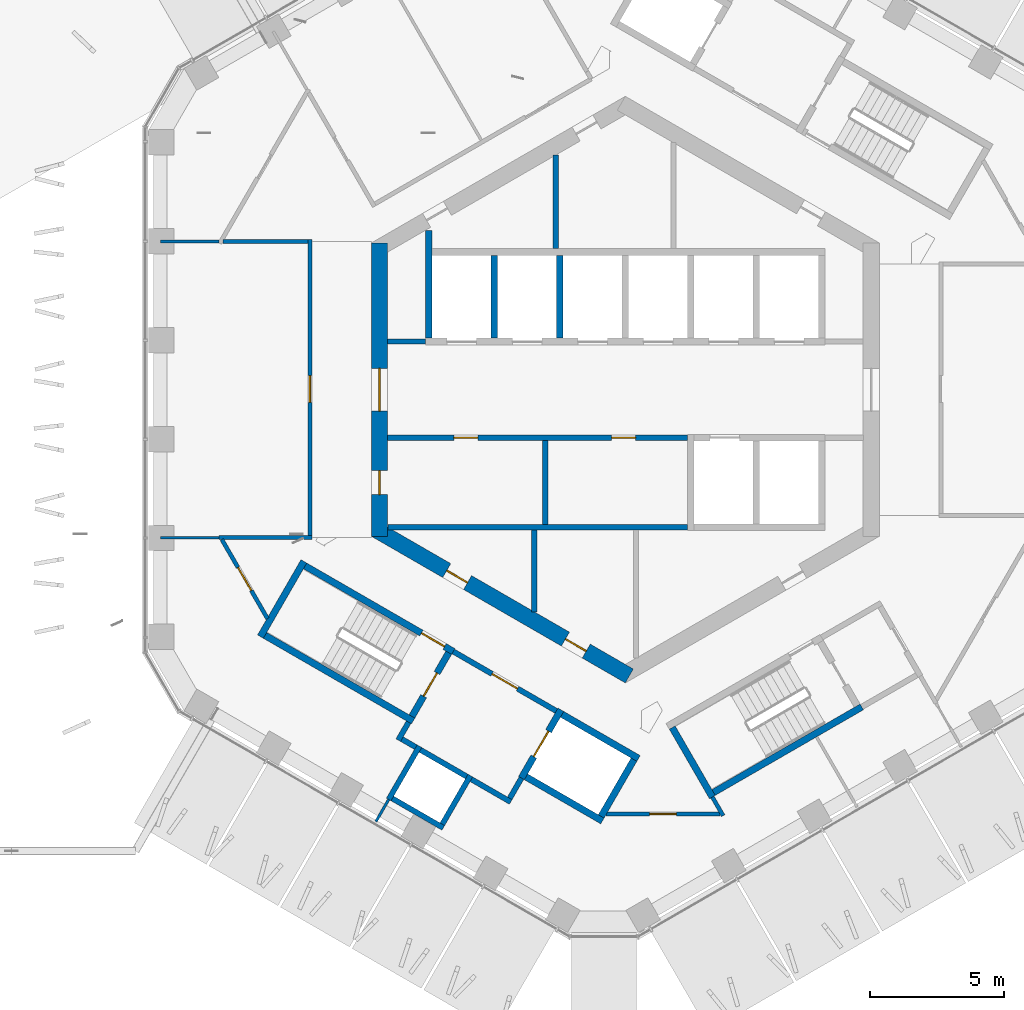
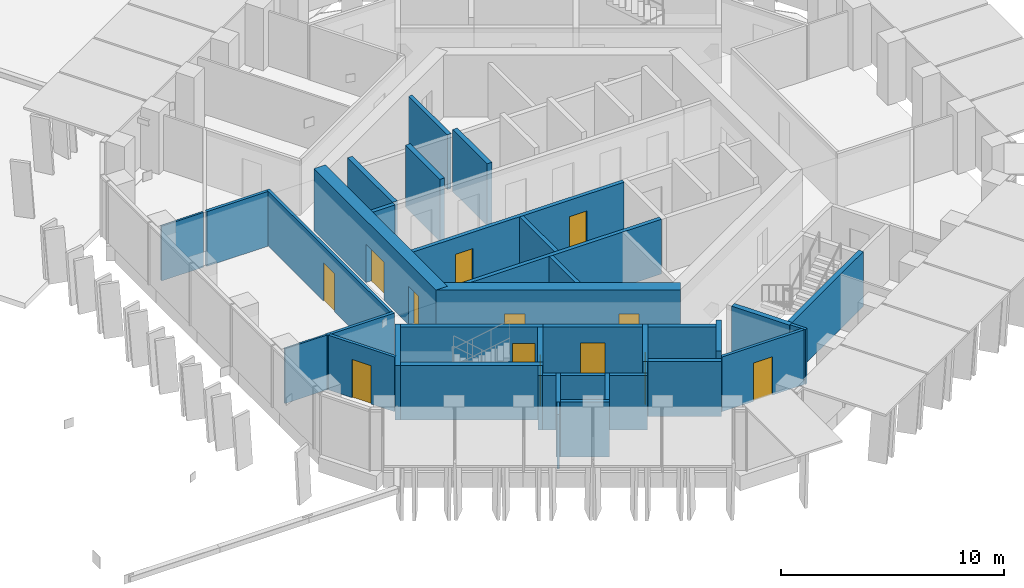
# One storey, part 13 of 23: 39 walls, 13 doors, 13 openings.
"""IFC4 building model written with IfcOpenShell, lengths in metres."""

from ifc_helpers import new_model, si_unit, direction, frame, frame_2d, origin, place, context, subcontext, project, spatial, rectangle, extrude, material, layer, layer_set, type_object, element, fill, save


model = new_model("IFC4")

# Units and contexts
model_context = context("Model", 3, precision=1e-05, world=origin(), true_north=direction((0.0, 1.0)))
body_context = subcontext(model_context, "Body", "Model", "MODEL_VIEW")
ifc_project = project(units=[si_unit("LENGTHUNIT", "METRE"), si_unit("AREAUNIT", "SQUARE_METRE"), si_unit("VOLUMEUNIT", "CUBIC_METRE"), si_unit("PLANEANGLEUNIT", "RADIAN"), si_unit("MASSUNIT", "GRAM", prefix="KILO")], contexts=[model_context])

# Site, building, storey
site_placement = place(None, origin())
site = spatial("IfcSite", under=ifc_project, at=site_placement, CompositionType="ELEMENT")
building_placement = place(site_placement, origin())
building = spatial("IfcBuilding", under=site, at=building_placement, Name="Ayvan Gate Tower", CompositionType="ELEMENT")
storey_placement = place(building_placement, frame((0.0, 0.0, 198.699951171875)))
storey = spatial("IfcBuildingStorey", under=building, at=storey_placement, Name="L53", CompositionType="ELEMENT", Elevation=198.699951171875)

# Wall, openings, doors
ifc_material_1 = material(Name="Concrete C60/75", Category="concrete")
ifc_layer_1 = layer(ifc_material_1, 0.60009765625)
ifc_layer_set_1 = layer_set([ifc_layer_1], Name="Concrete C60/75")
wall_type_1 = type_object("IfcWallType", Name="Core wall 600 C60/75", PredefinedType="SHEAR", material=ifc_layer_set_1)
wall_1_placement = place(storey_placement, frame((-9.199951171875, 5.48486328125, 0.0), z_axis=(0.0, 0.0, 1.0), x_axis=(0.0, -1.0, 0.0)))
wall_1 = element("IfcWall", 1, at=wall_1_placement, inside=storey, type_object=wall_type_1, Name="CORE-L53-3", PredefinedType="SHEAR", context=body_context, shape_type="SweptSolid", body=[
    extrude(rectangle(XDim=10.9697265625, YDim=0.60009765625, at=frame_2d((5.48486328125, 0.0))), origin(), (0.0, 0.0, 1.0), 3.400146484375),
])
opening_1_placement = place(wall_1_placement, frame((8.51611328125, 0.0, 0.0)))
opening_1 = element("IfcOpeningElement", 2, at=opening_1_placement, cuts=wall_1, Name="Opening L53-D38", PredefinedType="OPENING", context=body_context, shape_type="SweptSolid", body=[
    extrude(rectangle(XDim=0.89990234375, YDim=2.10009765625, at=frame_2d((0.449951171875, 1.050048828125))), frame((0.0, 0.31005859375, 0.0), z_axis=(0.0, -1.0, 0.0), x_axis=(1.0, 0.0, 0.0)), (0.0, 0.0, 1.0), 0.6201171875),
])
opening_2_placement = place(wall_1_placement, frame((4.684814453125, 0.0, 0.0)))
opening_2 = element("IfcOpeningElement", 3, at=opening_2_placement, cuts=wall_1, Name="Opening L53-D40", PredefinedType="OPENING", context=body_context, shape_type="SweptSolid", body=[
    extrude(rectangle(XDim=1.60009765625, YDim=2.10009765625, at=frame_2d((0.800048828125, 1.050048828125))), frame((0.0, 0.31005859375, 0.0), z_axis=(0.0, -1.0, 0.0), x_axis=(1.0, 0.0, 0.0)), (0.0, 0.0, 1.0), 0.6201171875),
])
ifc_material_2 = material(Name="Timber door leaf", Category="wood")
door_type_1 = type_object("IfcDoorType", Name="DT-1600", OperationType="NOTDEFINED", PredefinedType="DOOR", material=ifc_material_2)
door_1_placement = place(opening_2_placement, origin())
door_1 = element("IfcDoor", 4, at=door_1_placement, inside=storey, type_object=door_type_1, Name="CD-L53-40", OperationType="SINGLE_SWING_LEFT", OverallHeight=2.10009765625, OverallWidth=1.60009765625, PredefinedType="DOOR", context=body_context, shape_type="SweptSolid", body=[
    extrude(rectangle(XDim=1.60009765625, YDim=2.10009765625, at=frame_2d((0.800048828125, 1.050048828125))), frame((0.0, 0.02490234375, 0.0), z_axis=(0.0, -1.0, 0.0), x_axis=(1.0, 0.0, 0.0)), (0.0, 0.0, 1.0), 0.050048828125),
])
fill(opening_2, door_1)
door_type_2 = type_object("IfcDoorType", Name="DT-900", OperationType="NOTDEFINED", PredefinedType="DOOR", material=ifc_material_2)
door_2_placement = place(opening_1_placement, origin())
door_2 = element("IfcDoor", 5, at=door_2_placement, inside=storey, type_object=door_type_2, Name="CD-L53-38", OperationType="SINGLE_SWING_LEFT", OverallHeight=2.10009765625, OverallWidth=0.89990234375, PredefinedType="DOOR", context=body_context, shape_type="SweptSolid", body=[
    extrude(rectangle(XDim=0.89990234375, YDim=2.10009765625, at=frame_2d((0.449951171875, 1.050048828125))), frame((0.0, 0.02490234375, 0.0), z_axis=(0.0, -1.0, 0.0), x_axis=(1.0, 0.0, 0.0)), (0.0, 0.0, 1.0), 0.050048828125),
])
fill(opening_1, door_2)

wall_2_placement = place(storey_placement, frame((-9.35009765625, -5.22509765625, 0.0), z_axis=(0.0, 0.0, 1.0), x_axis=(0.866023993627, -0.500002442456, 0.0)))
wall_2 = element("IfcWall", 6, at=wall_2_placement, inside=storey, type_object=wall_type_1, Name="CORE-L53-4", PredefinedType="SHEAR", context=body_context, shape_type="SweptSolid", body=[
    extrude(rectangle(XDim=10.9697265625, YDim=0.60009765625, at=frame_2d((5.48486328125, 0.0))), origin(), (0.0, 0.0, 1.0), 3.400146484375),
])
opening_3_placement = place(wall_2_placement, frame((3.083984375, 0.0, 0.0)))
opening_3 = element("IfcOpeningElement", 7, at=opening_3_placement, cuts=wall_2, Name="Opening L53-D35", PredefinedType="OPENING", context=body_context, shape_type="SweptSolid", body=[
    extrude(rectangle(XDim=0.89990234375, YDim=2.10009765625, at=frame_2d((0.449951171875, 1.050048828125))), frame((0.0, 0.31005859375, 0.0), z_axis=(0.0, -1.0, 0.0), x_axis=(1.0, 0.0, 0.0)), (0.0, 0.0, 1.0), 0.6201171875),
])
opening_4_placement = place(wall_2_placement, frame((8.209716796875, 0.0, 0.0)))
opening_4 = element("IfcOpeningElement", 8, at=opening_4_placement, cuts=wall_2, Name="Opening L53-D36", PredefinedType="OPENING", context=body_context, shape_type="SweptSolid", body=[
    extrude(rectangle(XDim=0.89990234375, YDim=2.10009765625, at=frame_2d((0.449951171875, 1.050048828125))), frame((0.0, 0.31005859375, 0.0), z_axis=(0.0, -1.0, 0.0), x_axis=(1.0, 0.0, 0.0)), (0.0, 0.0, 1.0), 0.6201171875),
])
door_3_placement = place(opening_3_placement, origin())
door_3 = element("IfcDoor", 9, at=door_3_placement, inside=storey, type_object=door_type_2, Name="CD-L53-35", OperationType="SINGLE_SWING_RIGHT", OverallHeight=2.10009765625, OverallWidth=0.89990234375, PredefinedType="DOOR", context=body_context, shape_type="SweptSolid", body=[
    extrude(rectangle(XDim=0.89990234375, YDim=2.10009765625, at=frame_2d((0.449951171875, 1.050048828125))), frame((0.0, 0.02490234375, 0.0), z_axis=(0.0, -1.0, 0.0), x_axis=(1.0, 0.0, 0.0)), (0.0, 0.0, 1.0), 0.050048828125),
])
fill(opening_3, door_3)
door_4_placement = place(opening_4_placement, origin())
door_4 = element("IfcDoor", 10, at=door_4_placement, inside=storey, type_object=door_type_2, Name="CD-L53-36", OperationType="SINGLE_SWING_LEFT", OverallHeight=2.10009765625, OverallWidth=0.89990234375, PredefinedType="DOOR", context=body_context, shape_type="SweptSolid", body=[
    extrude(rectangle(XDim=0.89990234375, YDim=2.10009765625, at=frame_2d((0.449951171875, 1.050048828125))), frame((0.0, 0.02490234375, 0.0), z_axis=(0.0, -1.0, 0.0), x_axis=(1.0, 0.0, 0.0)), (0.0, 0.0, 1.0), 0.050048828125),
])
fill(opening_4, door_4)

# Wall
ifc_material_3 = material(Name="Plasterboard on steel stud", Category="steel")
ifc_layer_2 = layer(ifc_material_3, 0.14990234375)
ifc_layer_set_2 = layer_set([ifc_layer_2], Name="Plasterboard on steel stud")
wall_type_2 = type_object("IfcWallType", Name="WT-CORR-150", PredefinedType="PARTITIONING", material=ifc_layer_set_2)
wall_3_placement = place(storey_placement, frame((-15.204833984375, -5.538818359375, 0.0), z_axis=(0.0, 0.0, 1.0), x_axis=(1.0, 0.0, 0.0)))
element("IfcWall", 11, at=wall_3_placement, inside=storey, type_object=wall_type_2, Name="IW-L53-000", PredefinedType="PARTITIONING", context=body_context, shape_type="SweptSolid", body=[
    extrude(rectangle(XDim=3.47998046875, YDim=0.14990234375, at=frame_2d((1.739990234375, 0.0))), origin(), (0.0, 0.0, 1.0), 3.0),
])

# Wall, opening, door
wall_4_placement = place(storey_placement, frame((-13.38330078125, -8.564208984375, 0.0), z_axis=(0.0, 0.0, 1.0), x_axis=(-0.499980071345, 0.866036909293, 0.0)))
wall_4 = element("IfcWall", 12, at=wall_4_placement, inside=storey, type_object=wall_type_2, Name="IW-L53-005", PredefinedType="PARTITIONING", context=body_context, shape_type="SweptSolid", body=[
    extrude(rectangle(XDim=3.418212890625, YDim=0.14990234375, at=frame_2d((1.708984375, 0.0))), origin(), (0.0, 0.0, 1.0), 3.0),
])
opening_5_placement = place(wall_4_placement, frame((1.208984375, 0.0, 0.0)))
opening_5 = element("IfcOpeningElement", 13, at=opening_5_placement, cuts=wall_4, Name="Opening L53-D26", PredefinedType="OPENING", context=body_context, shape_type="SweptSolid", body=[
    extrude(rectangle(XDim=1.0, YDim=2.10009765625, at=frame_2d((0.5, 1.050048828125))), frame((0.0, 0.0849609375, 0.0), z_axis=(0.0, -1.0, 0.0), x_axis=(1.0, 0.0, 0.0)), (0.0, 0.0, 1.0), 0.169921875),
])
door_type_3 = type_object("IfcDoorType", Name="DT-1000", OperationType="NOTDEFINED", PredefinedType="DOOR", material=ifc_material_2)
door_5_placement = place(opening_5_placement, origin())
door_5 = element("IfcDoor", 14, at=door_5_placement, inside=storey, type_object=door_type_3, Name="ID-L53-026", OperationType="SINGLE_SWING_LEFT", OverallHeight=2.10009765625, OverallWidth=1.0, PredefinedType="DOOR", context=body_context, shape_type="SweptSolid", body=[
    extrude(rectangle(XDim=1.0, YDim=2.10009765625, at=frame_2d((0.5, 1.050048828125))), frame((0.0, 0.02490234375, 0.0), z_axis=(0.0, -1.0, 0.0), x_axis=(1.0, 0.0, 0.0)), (0.0, 0.0, 1.0), 0.050048828125),
])
fill(opening_5, door_5)

wall_5_placement = place(storey_placement, frame((-11.800048828125, -5.4638671875, 0.0), z_axis=(0.0, 0.0, 1.0), x_axis=(0.0, 1.0, 0.0)))
wall_5 = element("IfcWall", 15, at=wall_5_placement, inside=storey, type_object=wall_type_2, Name="IW-L53-009", PredefinedType="PARTITIONING", context=body_context, shape_type="SweptSolid", body=[
    extrude(rectangle(XDim=11.077880859375, YDim=0.14990234375, at=frame_2d((5.5390625, 0.0))), origin(), (0.0, 0.0, 1.0), 3.0),
])
opening_6_placement = place(wall_5_placement, frame((4.986328125, 0.0, 0.0)))
opening_6 = element("IfcOpeningElement", 16, at=opening_6_placement, cuts=wall_5, Name="Opening L53-D25", PredefinedType="OPENING", context=body_context, shape_type="SweptSolid", body=[
    extrude(rectangle(XDim=1.0, YDim=2.10009765625, at=frame_2d((0.5, 1.050048828125))), frame((0.0, 0.0849609375, 0.0), z_axis=(0.0, -1.0, 0.0), x_axis=(1.0, 0.0, 0.0)), (0.0, 0.0, 1.0), 0.169921875),
])
door_6_placement = place(opening_6_placement, origin())
door_6 = element("IfcDoor", 17, at=door_6_placement, inside=storey, type_object=door_type_3, Name="ID-L53-025", OperationType="SINGLE_SWING_RIGHT", OverallHeight=2.10009765625, OverallWidth=1.0, PredefinedType="DOOR", context=body_context, shape_type="SweptSolid", body=[
    extrude(rectangle(XDim=1.0, YDim=2.10009765625, at=frame_2d((0.5, 1.050048828125))), frame((0.0, 0.02490234375, 0.0), z_axis=(0.0, -1.0, 0.0), x_axis=(1.0, 0.0, 0.0)), (0.0, 0.0, 1.0), 0.050048828125),
])
fill(opening_6, door_6)

# Walls
wall_6_placement = place(storey_placement, frame((-11.875, 5.538818359375, 0.0), z_axis=(0.0, 0.0, 1.0), x_axis=(-1.0, 0.0, 0.0)))
element("IfcWall", 18, at=wall_6_placement, inside=storey, type_object=wall_type_2, Name="IW-L53-010", PredefinedType="PARTITIONING", context=body_context, shape_type="SweptSolid", body=[
    extrude(rectangle(XDim=3.179931640625, YDim=0.14990234375, at=frame_2d((1.58984375, 0.0))), origin(), (0.0, 0.0, 1.0), 3.0),
])
wall_7_placement = place(storey_placement, frame((3.255615234375, -15.23876953125, 0.0), z_axis=(0.0, 0.0, 1.0), x_axis=(0.499818546685, -0.866130140562, 0.0)))
element("IfcWall", 19, at=wall_7_placement, inside=storey, type_object=wall_type_2, Name="IW-L53-054", PredefinedType="PARTITIONING", context=body_context, shape_type="SweptSolid", body=[
    extrude(rectangle(XDim=0.806396484375, YDim=0.14990234375, at=frame_2d((0.4033203125, 0.0))), origin(), (0.0, 0.0, 1.0), 3.0),
])

# Wall, opening, door
wall_8_placement = place(storey_placement, frame((3.54638671875, -15.872314453125, 0.0), z_axis=(0.0, 0.0, 1.0), x_axis=(-1.0, 0.0, 0.0)))
wall_8 = element("IfcWall", 20, at=wall_8_placement, inside=storey, type_object=wall_type_2, Name="IW-L53-056", PredefinedType="PARTITIONING", context=body_context, shape_type="SweptSolid", body=[
    extrude(rectangle(XDim=4.271484375, YDim=0.14990234375, at=frame_2d((2.1357421875, 0.0))), origin(), (0.0, 0.0, 1.0), 3.0),
])
opening_7_placement = place(wall_8_placement, frame((1.6357421875, 0.0, 0.0)))
opening_7 = element("IfcOpeningElement", 21, at=opening_7_placement, cuts=wall_8, Name="Opening L53-D27", PredefinedType="OPENING", context=body_context, shape_type="SweptSolid", body=[
    extrude(rectangle(XDim=1.0, YDim=2.10009765625, at=frame_2d((0.5, 1.050048828125))), frame((0.0, 0.0849609375, 0.0), z_axis=(0.0, -1.0, 0.0), x_axis=(1.0, 0.0, 0.0)), (0.0, 0.0, 1.0), 0.169921875),
])
door_7_placement = place(opening_7_placement, origin())
door_7 = element("IfcDoor", 22, at=door_7_placement, inside=storey, type_object=door_type_3, Name="ID-L53-027", OperationType="SINGLE_SWING_RIGHT", OverallHeight=2.10009765625, OverallWidth=1.0, PredefinedType="DOOR", context=body_context, shape_type="SweptSolid", body=[
    extrude(rectangle(XDim=1.0, YDim=2.10009765625, at=frame_2d((0.5, 1.050048828125))), frame((0.0, 0.02490234375, 0.0), z_axis=(0.0, -1.0, 0.0), x_axis=(1.0, 0.0, 0.0)), (0.0, 0.0, 1.0), 0.050048828125),
])
fill(opening_7, door_7)

# Walls
ifc_layer_3 = layer(ifc_material_3, 0.10009765625)
ifc_layer_set_3 = layer_set([ifc_layer_3], Name="Plasterboard on steel stud")
wall_type_3 = type_object("IfcWallType", Name="WT-PART-100", PredefinedType="PARTITIONING", material=ifc_layer_set_3)
for number, where, z_axis, x_axis, name in (
    (23, (-15.204833984375, 5.538818359375, 0.0), (0.0, 0.0, 1.0), (-1.0, 0.0, 0.0), "IW-L53-001"),
    (24, (-15.204833984375, -5.538818359375, 0.0), (0.0, 0.0, 1.0), (-1.0, 0.0, 0.0), "IW-L53-003"),
):
    element("IfcWall", number, at=place(storey_placement, frame(where, z_axis=z_axis, x_axis=x_axis)), inside=storey, type_object=wall_type_3, Name=name, PredefinedType="PARTITIONING", context=body_context, shape_type="SweptSolid", body=[
        extrude(rectangle(XDim=2.1787109375, YDim=0.10009765625, at=frame_2d((1.08935546875, 0.0))), origin(), (0.0, 0.0, 1.0), 3.0),
    ])
wall_9_placement = place(storey_placement, frame((-8.85009765625, -15.32861328125, 0.0), z_axis=(0.0, 0.0, 1.0), x_axis=(-0.499950501706, -0.866053979752, 0.0)))
element("IfcWall", 25, at=wall_9_placement, inside=storey, type_object=wall_type_3, Name="IW-L53-015", PredefinedType="PARTITIONING", context=body_context, shape_type="SweptSolid", body=[
    extrude(rectangle(XDim=0.95751953125, YDim=0.10009765625, at=frame_2d((0.478759765625, 0.0))), origin(), (0.0, 0.0, 1.0), 3.0),
])
ifc_layer_4 = layer(ifc_material_3, 0.199951171875)
ifc_layer_set_4 = layer_set([ifc_layer_4], Name="Plasterboard on steel stud")
wall_type_4 = type_object("IfcWallType", Name="WT-PLUMB-200", PredefinedType="PLUMBINGWALL", material=ifc_layer_set_4)
wall_10_placement = place(storey_placement, frame((-8.85009765625, -15.32861328125, 0.0), z_axis=(0.0, 0.0, 1.0), x_axis=(0.500077740698, 0.865980515519, 0.0)))
element("IfcWall", 26, at=wall_10_placement, inside=storey, type_object=wall_type_4, Name="IW-L53-014", PredefinedType="PLUMBINGWALL", context=body_context, shape_type="SweptSolid", body=[
    extrude(rectangle(XDim=2.300048828125, YDim=0.199951171875, at=frame_2d((1.14990234375, 0.0))), origin(), (0.0, 0.0, 1.0), 3.0),
])
wall_11_placement = place(storey_placement, frame((-6.80810546875, -16.39208984375, 0.0), z_axis=(0.0, 0.0, 1.0), x_axis=(-0.866008176907, 0.50002983664, 0.0)))
element("IfcWall", 27, at=wall_11_placement, inside=storey, type_object=wall_type_4, Name="IW-L53-022", PredefinedType="PLUMBINGWALL", context=body_context, shape_type="SweptSolid", body=[
    extrude(rectangle(XDim=2.199951171875, YDim=0.199951171875, at=frame_2d((1.10009765625, 0.0))), origin(), (0.0, 0.0, 1.0), 3.0),
])
wall_12_placement = place(storey_placement, frame((-5.794677734375, -14.436767578125, 0.0), z_axis=(0.0, 0.0, 1.0), x_axis=(-0.500027713859, -0.866009402589, 0.0)))
element("IfcWall", 28, at=wall_12_placement, inside=storey, type_object=wall_type_4, Name="IW-L53-025", PredefinedType="PLUMBINGWALL", context=body_context, shape_type="SweptSolid", body=[
    extrude(rectangle(XDim=2.10009765625, YDim=0.199951171875, at=frame_2d((1.050048828125, 0.0))), origin(), (0.0, 0.0, 1.0), 3.0),
])
wall_13_placement = place(storey_placement, frame((-5.931396484375, -14.473388671875, 0.0), z_axis=(0.0, 0.0, 1.0), x_axis=(-0.866041268327, 0.499972520799, 0.0)))
element("IfcWall", 29, at=wall_13_placement, inside=storey, type_object=wall_type_4, Name="IW-L53-026", PredefinedType="PLUMBINGWALL", context=body_context, shape_type="SweptSolid", body=[
    extrude(rectangle(XDim=2.0, YDim=0.199951171875, at=frame_2d((1.0, 0.0))), origin(), (0.0, 0.0, 1.0), 3.0),
])
ifc_layer_5 = layer(ifc_material_3, 0.199951171875)
ifc_layer_set_5 = layer_set([ifc_layer_5], Name="Plasterboard on steel stud")
wall_type_5 = type_object("IfcWallType", Name="WT-RATED-200", PredefinedType="PARTITIONING", material=ifc_layer_set_5)
wall_14_placement = place(storey_placement, frame((-8.89990234375, 1.800048828125, 0.0), z_axis=(0.0, 0.0, 1.0), x_axis=(1.0, 0.0, 0.0)))
element("IfcWall", 30, at=wall_14_placement, inside=storey, type_object=wall_type_5, Name="IW-L53-012", PredefinedType="PARTITIONING", context=body_context, shape_type="SweptSolid", body=[
    extrude(rectangle(XDim=1.425048828125, YDim=0.199951171875, at=frame_2d((0.71240234375, 0.0))), origin(), (0.0, 0.0, 1.0), 3.0),
])
wall_15_placement = place(storey_placement, frame((-8.8798828125, -5.14990234375, 0.0), z_axis=(0.0, 0.0, 1.0), x_axis=(1.0, 0.0, 0.0)))
element("IfcWall", 31, at=wall_15_placement, inside=storey, type_object=wall_type_5, Name="IW-L53-013", PredefinedType="PARTITIONING", context=body_context, shape_type="SweptSolid", body=[
    extrude(rectangle(XDim=11.205078125, YDim=0.199951171875, at=frame_2d((5.6025390625, 0.0))), origin(), (0.0, 0.0, 1.0), 3.0),
])
wall_16_placement = place(storey_placement, frame((-8.492919921875, -13.110107421875, 0.0), z_axis=(0.0, 0.0, 1.0), x_axis=(0.500067724834, 0.865986299303, 0.0)))
element("IfcWall", 32, at=wall_16_placement, inside=storey, type_object=wall_type_5, Name="IW-L53-016", PredefinedType="PARTITIONING", context=body_context, shape_type="SweptSolid", body=[
    extrude(rectangle(XDim=0.775390625, YDim=0.199951171875, at=frame_2d((0.3876953125, 0.0))), origin(), (0.0, 0.0, 1.0), 3.0),
])
wall_17_placement = place(storey_placement, frame((-7.83642578125, -13.373291015625, 0.0), z_axis=(0.0, 0.0, 1.0), x_axis=(-0.866232998003, 0.499640263761, 0.0)))
element("IfcWall", 33, at=wall_17_placement, inside=storey, type_object=wall_type_5, Name="IW-L53-018", PredefinedType="PARTITIONING", context=body_context, shape_type="SweptSolid", body=[
    extrude(rectangle(XDim=0.60009765625, YDim=0.199951171875, at=frame_2d((0.300048828125, 0.0))), origin(), (0.0, 0.0, 1.0), 3.0),
])

# Wall, opening, door
wall_18_placement = place(storey_placement, frame((-6.4345703125, -9.794921875, 0.0), z_axis=(0.0, 0.0, 1.0), x_axis=(0.866012907634, -0.500021643343, 0.0)))
wall_18 = element("IfcWall", 34, at=wall_18_placement, inside=storey, type_object=wall_type_5, Name="IW-L53-024", PredefinedType="PARTITIONING", context=body_context, shape_type="SweptSolid", body=[
    extrude(rectangle(XDim=4.449951171875, YDim=0.199951171875, at=frame_2d((2.22509765625, 0.0))), origin(), (0.0, 0.0, 1.0), 3.0),
])
opening_8_placement = place(wall_18_placement, frame((1.675048828125, 0.0, 0.0)))
opening_8 = element("IfcOpeningElement", 35, at=opening_8_placement, cuts=wall_18, Name="Opening L53-D16", PredefinedType="OPENING", context=body_context, shape_type="SweptSolid", body=[
    extrude(rectangle(XDim=1.10009765625, YDim=2.10009765625, at=frame_2d((0.550048828125, 1.050048828125))), frame((0.0, 0.10986328125, 0.0), z_axis=(0.0, -1.0, 0.0), x_axis=(1.0, 0.0, 0.0)), (0.0, 0.0, 1.0), 0.219970703125),
])
door_type_4 = type_object("IfcDoorType", Name="DT-1100", OperationType="NOTDEFINED", PredefinedType="DOOR", material=ifc_material_2)
door_8_placement = place(opening_8_placement, origin())
door_8 = element("IfcDoor", 36, at=door_8_placement, inside=storey, type_object=door_type_4, Name="ID-L53-016", OperationType="SINGLE_SWING_LEFT", OverallHeight=2.10009765625, OverallWidth=1.10009765625, PredefinedType="DOOR", context=body_context, shape_type="SweptSolid", body=[
    extrude(rectangle(XDim=1.10009765625, YDim=2.10009765625, at=frame_2d((0.550048828125, 1.050048828125))), frame((0.0, 0.02490234375, 0.0), z_axis=(0.0, -1.0, 0.0), x_axis=(1.0, 0.0, 0.0)), (0.0, 0.0, 1.0), 0.050048828125),
])
fill(opening_8, door_8)

# Walls
wall_19_placement = place(storey_placement, frame((-4.285888671875, -15.42333984375, 0.0), z_axis=(0.0, 0.0, 1.0), x_axis=(-0.866025371046, 0.500000056704, 0.0)))
element("IfcWall", 37, at=wall_19_placement, inside=storey, type_object=wall_type_5, Name="IW-L53-029", PredefinedType="PARTITIONING", context=body_context, shape_type="SweptSolid", body=[
    extrude(rectangle(XDim=1.7001953125, YDim=0.199951171875, at=frame_2d((0.85009765625, 0.0))), origin(), (0.0, 0.0, 1.0), 3.0),
])
wall_20_placement = place(storey_placement, frame((-3.885009765625, -14.52880859375, 0.0), z_axis=(0.0, 0.0, 1.0), x_axis=(-0.499859285417, -0.866106630146, 0.0)))
element("IfcWall", 38, at=wall_20_placement, inside=storey, type_object=wall_type_5, Name="IW-L53-030", PredefinedType="PARTITIONING", context=body_context, shape_type="SweptSolid", body=[
    extrude(rectangle(XDim=0.875244140625, YDim=0.199951171875, at=frame_2d((0.4375, 0.0))), origin(), (0.0, 0.0, 1.0), 3.0),
])
wall_21_placement = place(storey_placement, frame((-3.39990234375, -5.25, 0.0), z_axis=(0.0, 0.0, 1.0), x_axis=(0.0, -1.0, 0.0)))
element("IfcWall", 39, at=wall_21_placement, inside=storey, type_object=wall_type_5, Name="IW-L53-033", PredefinedType="PARTITIONING", context=body_context, shape_type="SweptSolid", body=[
    extrude(rectangle(XDim=3.063720703125, YDim=0.199951171875, at=frame_2d((1.53173828125, 0.0))), origin(), (0.0, 0.0, 1.0), 3.0),
])
wall_22_placement = place(storey_placement, frame((-3.0, -1.89990234375, 0.0), z_axis=(0.0, 0.0, 1.0), x_axis=(0.0, -1.0, 0.0)))
element("IfcWall", 40, at=wall_22_placement, inside=storey, type_object=wall_type_5, Name="IW-L53-034", PredefinedType="PARTITIONING", context=body_context, shape_type="SweptSolid", body=[
    extrude(rectangle(XDim=3.150146484375, YDim=0.199951171875, at=frame_2d((1.5751953125, 0.0))), origin(), (0.0, 0.0, 1.0), 3.0),
])

# Wall, openings, doors
wall_23_placement = place(storey_placement, frame((-8.89990234375, -1.800048828125, 0.0), z_axis=(0.0, 0.0, 1.0), x_axis=(1.0, 0.0, 0.0)))
wall_23 = element("IfcWall", 41, at=wall_23_placement, inside=storey, type_object=wall_type_5, Name="IW-L53-035", PredefinedType="PARTITIONING", context=body_context, shape_type="SweptSolid", body=[
    extrude(rectangle(XDim=11.22509765625, YDim=0.199951171875, at=frame_2d((5.612548828125, 0.0))), origin(), (0.0, 0.0, 1.0), 3.0),
])
opening_9_placement = place(wall_23_placement, frame((2.485107421875, 0.0, 0.0)))
opening_9 = element("IfcOpeningElement", 42, at=opening_9_placement, cuts=wall_23, Name="Opening L53-D08", PredefinedType="OPENING", context=body_context, shape_type="SweptSolid", body=[
    extrude(rectangle(XDim=0.89990234375, YDim=2.10009765625, at=frame_2d((0.449951171875, 1.050048828125))), frame((0.0, 0.10986328125, 0.0), z_axis=(0.0, -1.0, 0.0), x_axis=(1.0, 0.0, 0.0)), (0.0, 0.0, 1.0), 0.219970703125),
])
opening_10_placement = place(wall_23_placement, frame((8.387451171875, 0.0, 0.0)))
opening_10 = element("IfcOpeningElement", 43, at=opening_10_placement, cuts=wall_23, Name="Opening L53-D09", PredefinedType="OPENING", context=body_context, shape_type="SweptSolid", body=[
    extrude(rectangle(XDim=0.89990234375, YDim=2.10009765625, at=frame_2d((0.449951171875, 1.050048828125))), frame((0.0, 0.10986328125, 0.0), z_axis=(0.0, -1.0, 0.0), x_axis=(1.0, 0.0, 0.0)), (0.0, 0.0, 1.0), 0.219970703125),
])
door_9_placement = place(opening_9_placement, origin())
door_9 = element("IfcDoor", 44, at=door_9_placement, inside=storey, type_object=door_type_2, Name="ID-L53-008", OperationType="SINGLE_SWING_LEFT", OverallHeight=2.10009765625, OverallWidth=0.89990234375, PredefinedType="DOOR", context=body_context, shape_type="SweptSolid", body=[
    extrude(rectangle(XDim=0.89990234375, YDim=2.10009765625, at=frame_2d((0.449951171875, 1.050048828125))), frame((0.0, 0.02490234375, 0.0), z_axis=(0.0, -1.0, 0.0), x_axis=(1.0, 0.0, 0.0)), (0.0, 0.0, 1.0), 0.050048828125),
])
fill(opening_9, door_9)
door_10_placement = place(opening_10_placement, origin())
door_10 = element("IfcDoor", 45, at=door_10_placement, inside=storey, type_object=door_type_2, Name="ID-L53-009", OperationType="SINGLE_SWING_RIGHT", OverallHeight=2.10009765625, OverallWidth=0.89990234375, PredefinedType="DOOR", context=body_context, shape_type="SweptSolid", body=[
    extrude(rectangle(XDim=0.89990234375, YDim=2.10009765625, at=frame_2d((0.449951171875, 1.050048828125))), frame((0.0, 0.02490234375, 0.0), z_axis=(0.0, -1.0, 0.0), x_axis=(1.0, 0.0, 0.0)), (0.0, 0.0, 1.0), 0.050048828125),
])
fill(opening_10, door_10)

# Walls
wall_24_placement = place(storey_placement, frame((-2.60009765625, 8.775634765625, 0.0), z_axis=(0.0, 0.0, 1.0), x_axis=(0.0, -1.0, 0.0)))
element("IfcWall", 46, at=wall_24_placement, inside=storey, type_object=wall_type_5, Name="IW-L53-036", PredefinedType="PARTITIONING", context=body_context, shape_type="SweptSolid", body=[
    extrude(rectangle(XDim=3.500732421875, YDim=0.199951171875, at=frame_2d((1.75048828125, 0.0))), origin(), (0.0, 0.0, 1.0), 3.0),
])
ifc_material_4 = material(Name="Concrete C50/60", Category="concrete")
ifc_layer_6 = layer(ifc_material_4, 0.25)
ifc_layer_set_6 = layer_set([ifc_layer_6], Name="Concrete C50/60")
wall_type_6 = type_object("IfcWallType", Name="WT-RC-250", PredefinedType="SHEAR", material=ifc_layer_set_6)
wall_25_placement = place(storey_placement, frame((-13.64794921875, -9.23876953125, 0.0), z_axis=(0.0, 0.0, 1.0), x_axis=(0.500017246033, 0.866015446554, 0.0)))
element("IfcWall", 47, at=wall_25_placement, inside=storey, type_object=wall_type_6, Name="IW-L53-004", PredefinedType="SHEAR", context=body_context, shape_type="SweptSolid", body=[
    extrude(rectangle(XDim=3.25, YDim=0.25, at=frame_2d((1.625, 0.0))), origin(), (0.0, 0.0, 1.0), 3.0),
])

# Wall, opening, door
wall_26_placement = place(storey_placement, frame((-11.97705078125, -6.594970703125, 0.0), z_axis=(0.0, 0.0, 1.0), x_axis=(0.866025499775, -0.499999833739, 0.0)))
wall_26 = element("IfcWall", 48, at=wall_26_placement, inside=storey, type_object=wall_type_6, Name="IW-L53-007", PredefinedType="SHEAR", context=body_context, shape_type="SweptSolid", body=[
    extrude(rectangle(XDim=6.39990234375, YDim=0.25, at=frame_2d((3.199951171875, 0.0))), origin(), (0.0, 0.0, 1.0), 3.0),
])
opening_11_placement = place(wall_26_placement, frame((5.02490234375, 0.0, 0.0)))
opening_11 = element("IfcOpeningElement", 49, at=opening_11_placement, cuts=wall_26, Name="Opening L53-D14", PredefinedType="OPENING", context=body_context, shape_type="SweptSolid", body=[
    extrude(rectangle(XDim=1.0, YDim=2.10009765625, at=frame_2d((0.5, 1.050048828125))), frame((0.0, 0.135009765625, 0.0), z_axis=(0.0, -1.0, 0.0), x_axis=(1.0, 0.0, 0.0)), (0.0, 0.0, 1.0), 0.27001953125),
])
door_11_placement = place(opening_11_placement, origin())
door_11 = element("IfcDoor", 50, at=door_11_placement, inside=storey, type_object=door_type_3, Name="ID-L53-014", OperationType="SINGLE_SWING_LEFT", OverallHeight=2.10009765625, OverallWidth=1.0, PredefinedType="DOOR", context=body_context, shape_type="SweptSolid", body=[
    extrude(rectangle(XDim=1.0, YDim=2.10009765625, at=frame_2d((0.5, 1.050048828125))), frame((0.0, 0.02490234375, 0.0), z_axis=(0.0, -1.0, 0.0), x_axis=(1.0, 0.0, 0.0)), (0.0, 0.0, 1.0), 0.050048828125),
])
fill(opening_11, door_11)

# Walls
wall_27_placement = place(storey_placement, frame((-7.9345703125, -12.39306640625, 0.0), z_axis=(0.0, 0.0, 1.0), x_axis=(-0.866025499775, 0.499999833739, 0.0)))
element("IfcWall", 51, at=wall_27_placement, inside=storey, type_object=wall_type_6, Name="IW-L53-017", PredefinedType="SHEAR", context=body_context, shape_type="SweptSolid", body=[
    extrude(rectangle(XDim=6.39990234375, YDim=0.25, at=frame_2d((3.199951171875, 0.0))), origin(), (0.0, 0.0, 1.0), 3.0),
])
wall_28_placement = place(storey_placement, frame((-7.35009765625, 1.925048828125, 0.0), z_axis=(0.0, 0.0, 1.0), x_axis=(0.0, 1.0, 0.0)))
element("IfcWall", 52, at=wall_28_placement, inside=storey, type_object=wall_type_6, Name="IW-L53-020", PredefinedType="SHEAR", context=body_context, shape_type="SweptSolid", body=[
    extrude(rectangle(XDim=4.0361328125, YDim=0.25, at=frame_2d((2.01806640625, 0.0))), origin(), (0.0, 0.0, 1.0), 3.0),
])

# Wall, opening, door
wall_29_placement = place(storey_placement, frame((-6.605224609375, -9.8408203125, 0.0), z_axis=(0.0, 0.0, 1.0), x_axis=(-0.499996545922, -0.866027397988, 0.0)))
wall_29 = element("IfcWall", 53, at=wall_29_placement, inside=storey, type_object=wall_type_6, Name="IW-L53-023", PredefinedType="SHEAR", context=body_context, shape_type="SweptSolid", body=[
    extrude(rectangle(XDim=2.75, YDim=0.25, at=frame_2d((1.375, 0.0))), origin(), (0.0, 0.0, 1.0), 3.0),
])
opening_12_placement = place(wall_29_placement, frame((0.875, 0.0, 0.0)))
opening_12 = element("IfcOpeningElement", 54, at=opening_12_placement, cuts=wall_29, Name="Opening L53-D15", PredefinedType="OPENING", context=body_context, shape_type="SweptSolid", body=[
    extrude(rectangle(XDim=1.0, YDim=2.10009765625, at=frame_2d((0.5, 1.050048828125))), frame((0.0, 0.135009765625, 0.0), z_axis=(0.0, -1.0, 0.0), x_axis=(1.0, 0.0, 0.0)), (0.0, 0.0, 1.0), 0.27001953125),
])
door_12_placement = place(opening_12_placement, origin())
door_12 = element("IfcDoor", 55, at=door_12_placement, inside=storey, type_object=door_type_3, Name="ID-L53-015", OperationType="SINGLE_SWING_RIGHT", OverallHeight=2.10009765625, OverallWidth=1.0, PredefinedType="DOOR", context=body_context, shape_type="SweptSolid", body=[
    extrude(rectangle(XDim=1.0, YDim=2.10009765625, at=frame_2d((0.5, 1.050048828125))), frame((0.0, 0.02490234375, 0.0), z_axis=(0.0, -1.0, 0.0), x_axis=(1.0, 0.0, 0.0)), (0.0, 0.0, 1.0), 0.050048828125),
])
fill(opening_12, door_12)

# Wall
wall_30_placement = place(storey_placement, frame((-4.89990234375, 5.02490234375, 0.0), z_axis=(0.0, 0.0, 1.0), x_axis=(0.0, -1.0, 0.0)))
element("IfcWall", 56, at=wall_30_placement, inside=storey, type_object=wall_type_6, Name="IW-L53-028", PredefinedType="SHEAR", context=body_context, shape_type="SweptSolid", body=[
    extrude(rectangle(XDim=3.099853515625, YDim=0.25, at=frame_2d((1.5498046875, 0.0))), origin(), (0.0, 0.0, 1.0), 3.400146484375),
])

# Wall, opening, door
wall_31_placement = place(storey_placement, frame((-2.409912109375, -11.97412109375, 0.0), z_axis=(0.0, 0.0, 1.0), x_axis=(-0.500001826776, -0.866024349092, 0.0)))
wall_31 = element("IfcWall", 57, at=wall_31_placement, inside=storey, type_object=wall_type_6, Name="IW-L53-037", PredefinedType="SHEAR", context=body_context, shape_type="SweptSolid", body=[
    extrude(rectangle(XDim=2.9501953125, YDim=0.25, at=frame_2d((1.47509765625, 0.0))), origin(), (0.0, 0.0, 1.0), 3.0),
])
opening_13_placement = place(wall_31_placement, frame((0.925048828125, 0.0, 0.0)))
opening_13 = element("IfcOpeningElement", 58, at=opening_13_placement, cuts=wall_31, Name="Opening L53-LD-FF2", PredefinedType="OPENING", context=body_context, shape_type="SweptSolid", body=[
    extrude(rectangle(XDim=1.10009765625, YDim=2.10009765625, at=frame_2d((0.550048828125, 1.050048828125))), frame((0.0, 0.135009765625, 0.0), z_axis=(0.0, -1.0, 0.0), x_axis=(1.0, 0.0, 0.0)), (0.0, 0.0, 1.0), 0.27001953125),
])
ifc_material_5 = material(Name="Stainless steel landing door", Category="steel")
door_type_5 = type_object("IfcDoorType", Name="DT-LANDING-1100", OperationType="SLIDING_TO_LEFT", PredefinedType="DOOR", material=ifc_material_5)
door_13_placement = place(opening_13_placement, origin())
door_13 = element("IfcDoor", 59, at=door_13_placement, inside=storey, type_object=door_type_5, Name="ID-L53-017", OperationType="SLIDING_TO_LEFT", OverallHeight=2.10009765625, OverallWidth=1.10009765625, PredefinedType="DOOR", context=body_context, shape_type="SweptSolid", body=[
    extrude(rectangle(XDim=1.10009765625, YDim=2.10009765625, at=frame_2d((0.550048828125, 1.050048828125))), frame((0.0, 0.02490234375, 0.0), z_axis=(0.0, -1.0, 0.0), x_axis=(1.0, 0.0, 0.0)), (0.0, 0.0, 1.0), 0.050048828125),
])
fill(opening_13, door_13)

# Walls
wall_32_placement = place(storey_placement, frame((-2.3642578125, -12.14501953125, 0.0), z_axis=(0.0, 0.0, 1.0), x_axis=(0.866040211805, -0.499974350878, 0.0)))
element("IfcWall", 60, at=wall_32_placement, inside=storey, type_object=wall_type_6, Name="IW-L53-038", PredefinedType="SHEAR", context=body_context, shape_type="SweptSolid", body=[
    extrude(rectangle(XDim=3.300048828125, YDim=0.25, at=frame_2d((1.64990234375, 0.0))), origin(), (0.0, 0.0, 1.0), 3.0),
])
wall_33_placement = place(storey_placement, frame((-2.449951171875, 5.02490234375, 0.0), z_axis=(0.0, 0.0, 1.0), x_axis=(0.0, -1.0, 0.0)))
element("IfcWall", 61, at=wall_33_placement, inside=storey, type_object=wall_type_6, Name="IW-L53-039", PredefinedType="SHEAR", context=body_context, shape_type="SweptSolid", body=[
    extrude(rectangle(XDim=3.099853515625, YDim=0.25, at=frame_2d((1.5498046875, 0.0))), origin(), (0.0, 0.0, 1.0), 3.400146484375),
])
wall_34_placement = place(storey_placement, frame((-0.8564453125, -16.13330078125, 0.0), z_axis=(0.0, 0.0, 1.0), x_axis=(-0.866021716278, 0.500006386895, 0.0)))
element("IfcWall", 62, at=wall_34_placement, inside=storey, type_object=wall_type_6, Name="IW-L53-042", PredefinedType="SHEAR", context=body_context, shape_type="SweptSolid", body=[
    extrude(rectangle(XDim=3.2998046875, YDim=0.25, at=frame_2d((1.64990234375, 0.0))), origin(), (0.0, 0.0, 1.0), 3.0),
])
wall_35_placement = place(storey_placement, frame((-0.902099609375, -15.96240234375, 0.0), z_axis=(0.0, 0.0, 1.0), x_axis=(0.500061746146, 0.865989751695, 0.0)))
element("IfcWall", 63, at=wall_35_placement, inside=storey, type_object=wall_type_6, Name="IW-L53-043", PredefinedType="SHEAR", context=body_context, shape_type="SweptSolid", body=[
    extrude(rectangle(XDim=2.449951171875, YDim=0.25, at=frame_2d((1.22509765625, 0.0))), origin(), (0.0, 0.0, 1.0), 3.400146484375),
])
wall_36_placement = place(storey_placement, frame((3.255615234375, -15.23876953125, 0.0), z_axis=(0.0, 0.0, 1.0), x_axis=(-0.50002537861, 0.866010750942, 0.0)))
element("IfcWall", 64, at=wall_36_placement, inside=storey, type_object=wall_type_6, Name="IW-L53-055", PredefinedType="SHEAR", context=body_context, shape_type="SweptSolid", body=[
    extrude(rectangle(XDim=2.999755859375, YDim=0.25, at=frame_2d((1.5, 0.0))), origin(), (0.0, 0.0, 1.0), 3.0),
])
wall_37_placement = place(storey_placement, frame((3.30126953125, -15.068115234375, 0.0), z_axis=(0.0, 0.0, 1.0), x_axis=(0.866035036182, 0.499983315828, 0.0)))
element("IfcWall", 65, at=wall_37_placement, inside=storey, type_object=wall_type_6, Name="IW-L53-066", PredefinedType="SHEAR", context=body_context, shape_type="SweptSolid", body=[
    extrude(rectangle(XDim=6.400146484375, YDim=0.25, at=frame_2d((3.2001953125, 0.0))), origin(), (0.0, 0.0, 1.0), 3.0),
])

save(model, "model.ifc")
